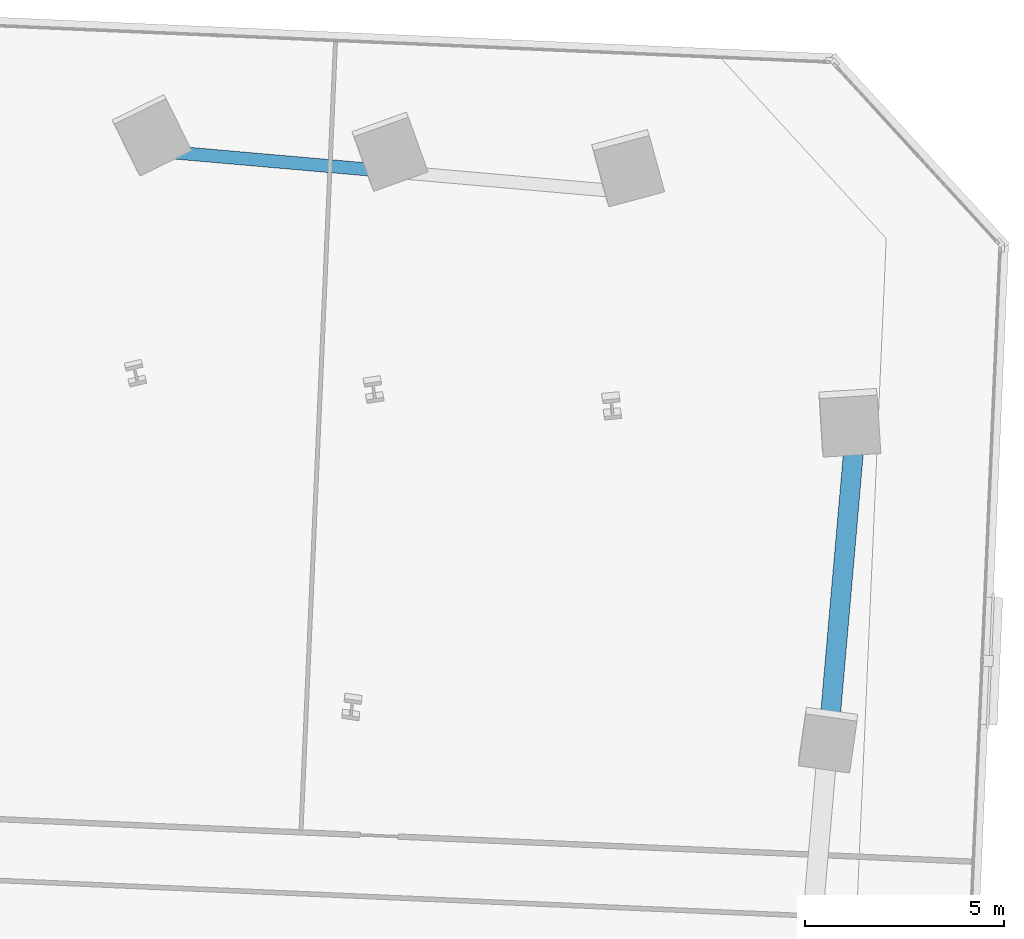
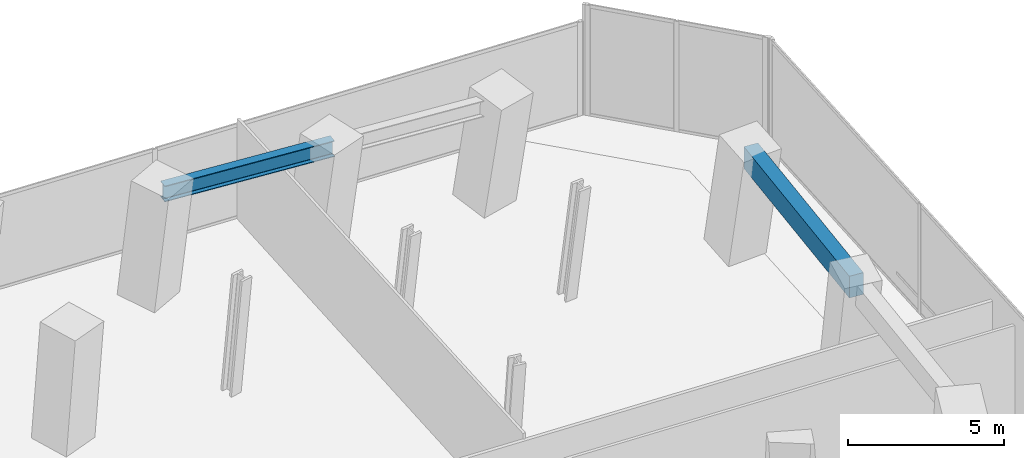
# One storey, part 12 of 26: 2 beams.
"""IFC4 building model written with IfcOpenShell, lengths in metres."""

import ifcopenshell
import ifcopenshell.guid

model = None  # the IFC model being written
_history = None  # IfcOwnerHistory: only IFC2X3 demands one
_inside = {}  # id of a spatial element -> (the spatial element, [elements in it])
_under = {}  # id of a project, library or spatial element -> (it, [spatial elements below it])
_declared = {}  # id of a project -> (the project, [libraries it declares])
_typed = {}  # id of a type object -> (the type object, [elements of that type])
_made_of = {}  # id of a material, layer set ... -> (it, [elements and type objects made of it])


def new_model(schema):
    """Start an empty IFC model of exactly this schema.

    Asked for "IFC4X3", IfcOpenShell would pick the latest addendum, in which some entities
    have other attributes; the version numbers below select the first issue.
    IFC2X3 requires an IfcOwnerHistory on every rooted entity: one is made here for all.
    """
    global model, _history
    if schema == "IFC4X3":
        model = ifcopenshell.file(schema_version=(4, 3, 0, 0))
    else:
        model = ifcopenshell.file(schema=schema)
    _inside.clear()
    _under.clear()
    _declared.clear()
    _typed.clear()
    _made_of.clear()
    _history = None
    if model.schema == "IFC2X3":
        org = make("IfcOrganization", Name="unknown")
        user = make(
            "IfcPersonAndOrganization",
            ThePerson=make("IfcPerson", FamilyName="unknown"),
            TheOrganization=org,
        )
        app = make(
            "IfcApplication",
            ApplicationDeveloper=org,
            Version="unknown",
            ApplicationFullName="unknown",
            ApplicationIdentifier="unknown",
        )
        _history = make(
            "IfcOwnerHistory",
            OwningUser=user,
            OwningApplication=app,
            ChangeAction="ADDED",
            CreationDate=0,
        )
    return model


def make(cls, **values):
    """One entity of the class cls with the attributes given. An attribute that is None is left unset."""
    return model.create_entity(
        cls, **{name: value for name, value in values.items() if value is not None}
    )


def rooted(cls, **values):
    """An entity with a GlobalId (a new one), such as an element, a storey or a relation."""
    return make(cls, GlobalId=ifcopenshell.guid.new(), OwnerHistory=_history, **values)


def si_unit(unit_type, name, prefix=None):
    """IfcSIUnit, for example si_unit("LENGTHUNIT", "METRE", prefix="MILLI")."""
    return make("IfcSIUnit", UnitType=unit_type, Prefix=prefix, Name=name)


def assignment(units):
    """IfcUnitAssignment: the units of a project."""
    return None if units is None else make("IfcUnitAssignment", Units=units)


def point(xyz):
    """IfcCartesianPoint."""
    return None if xyz is None else make("IfcCartesianPoint", Coordinates=xyz)


def direction(xyz):
    """IfcDirection."""
    return None if xyz is None else make("IfcDirection", DirectionRatios=xyz)


def frame(location, z_axis=None, x_axis=None):
    """IfcAxis2Placement3D, a coordinate frame: its origin and axes. An axis left out is left unset."""
    return make(
        "IfcAxis2Placement3D",
        Location=point(location),
        Axis=direction(z_axis),
        RefDirection=direction(x_axis),
    )


def frame_2d(location, x_axis=None):
    """IfcAxis2Placement2D, a coordinate frame in the plane: its origin and x axis."""
    return make(
        "IfcAxis2Placement2D", Location=point(location), RefDirection=direction(x_axis)
    )


def origin():
    """The frame at (0, 0, 0) with its axes left unset."""
    return frame((0.0, 0.0, 0.0))


def origin_2d():
    """The frame at (0, 0) in the plane with its x axis left unset."""
    return frame_2d((0.0, 0.0))


def place(relative_to, where):
    """IfcLocalPlacement: puts the frame where relative to a parent placement (None: the world)."""
    return make(
        "IfcLocalPlacement", PlacementRelTo=relative_to, RelativePlacement=where
    )


def context(
    kind, dimensions, precision=None, world=None, true_north=None, identifier=None
):
    """IfcGeometricRepresentationContext, for example the 3D "Model" context."""
    return make(
        "IfcGeometricRepresentationContext",
        ContextIdentifier=identifier,
        ContextType=kind,
        CoordinateSpaceDimension=dimensions,
        Precision=precision,
        WorldCoordinateSystem=world,
        TrueNorth=true_north,
    )


def subcontext(parent, identifier, kind, view, scale=None):
    """IfcGeometricRepresentationSubContext, for example "Body" below "Model"."""
    return make(
        "IfcGeometricRepresentationSubContext",
        ContextIdentifier=identifier,
        ContextType=kind,
        ParentContext=parent,
        TargetScale=scale,
        TargetView=view,
    )


def project(units=None, contexts=None):
    """IfcProject with its units and contexts."""
    return rooted(
        "IfcProject",
        Name="project",
        RepresentationContexts=contexts,
        UnitsInContext=assignment(units),
    )


def spatial(cls, under=None, at=None, **own):
    """A site, building, storey or space (cls), placed at a placement, below another one or the project."""
    s = rooted(cls, ObjectPlacement=at, **own)
    if under is not None:
        _under.setdefault(under.id(), (under, []))[1].append(s)
    return s


def profile(cls, at=None, kind="AREA", **sizes):
    """A parametric profile (cls). Its sizes go by their IFC names, for example OverallWidth=200.0."""
    return make(cls, ProfileType=kind, Position=at, **sizes)


def rectangle(**sizes):
    """IfcRectangleProfileDef."""
    return profile("IfcRectangleProfileDef", **sizes)


def i_section(**sizes):
    """IfcIShapeProfileDef."""
    return profile("IfcIShapeProfileDef", **sizes)


def extrude(swept, where, along, depth):
    """IfcExtrudedAreaSolid: the profile swept, set in the frame where, extruded along a direction by depth."""
    return make(
        "IfcExtrudedAreaSolid",
        SweptArea=swept,
        Position=where,
        ExtrudedDirection=direction(along),
        Depth=depth,
    )


def shape(context_of_items, identifier, shape_type, items):
    """IfcShapeRepresentation: the items that make up one representation, for example the "Body"."""
    return make(
        "IfcShapeRepresentation",
        ContextOfItems=context_of_items,
        RepresentationIdentifier=identifier,
        RepresentationType=shape_type,
        Items=items,
    )


def source(mapping_origin, context_of_items, identifier, shape_type, items):
    """IfcRepresentationMap: a shape defined once, which mapped items show again and again."""
    return make(
        "IfcRepresentationMap",
        MappingOrigin=mapping_origin,
        MappedRepresentation=shape(context_of_items, identifier, shape_type, items),
    )


def transform(
    local_origin,
    x_axis=None,
    y_axis=None,
    z_axis=None,
    scale=None,
    scale2=None,
    scale3=None,
    uniform=True,
):
    """IfcCartesianTransformationOperator3D, or its non-uniform kind. x_axis, y_axis, z_axis: its Axis1, 2, 3."""
    if uniform:
        return make(
            "IfcCartesianTransformationOperator3D",
            Axis1=direction(x_axis),
            Axis2=direction(y_axis),
            LocalOrigin=point(local_origin),
            Scale=scale,
            Axis3=direction(z_axis),
        )
    return make(
        "IfcCartesianTransformationOperator3DnonUniform",
        Axis1=direction(x_axis),
        Axis2=direction(y_axis),
        LocalOrigin=point(local_origin),
        Scale=scale,
        Axis3=direction(z_axis),
        Scale2=scale2,
        Scale3=scale3,
    )


def mapped(mapping_source, mapping_target):
    """IfcMappedItem: shows the shape of a source again, moved by a transform."""
    return make(
        "IfcMappedItem", MappingSource=mapping_source, MappingTarget=mapping_target
    )


def material(Name=None, Category=None):
    """IfcMaterial."""
    return make("IfcMaterial", Name=Name, Category=Category)


def material_profile(
    of_material, cross_section, Name=None, Category=None, Priority=None
):
    """IfcMaterialProfile: a cross section and its material."""
    return make(
        "IfcMaterialProfile",
        Name=Name,
        Material=of_material,
        Profile=cross_section,
        Priority=Priority,
        Category=Category,
    )


def profile_set(profiles, Name=None, composite=None):
    """IfcMaterialProfileSet."""
    return make(
        "IfcMaterialProfileSet",
        Name=Name,
        MaterialProfiles=profiles,
        CompositeProfile=composite,
    )


def made_of(thing, what):
    """Note that an element or type object is made of a material, layer set ...; save() writes the relation."""
    if what is not None:
        _made_of.setdefault(what.id(), (what, []))[1].append(thing)
    return thing


def type_object(cls, material=None, **own):
    """A type object (cls), such as IfcWallType, which elements share."""
    return made_of(rooted(cls, **own), material)


def element(
    cls,
    number,
    at=None,
    inside=None,
    cuts=None,
    type_object=None,
    material=None,
    context=None,
    identifier="Body",
    shape_type=None,
    held_by="IfcProductDefinitionShape",
    body=None,
    shapes=None,
    **own,
):
    """One element of the class cls, such as IfcWall. Its Tag is "e" and its number.

    at: its placement. inside: the storey or other place that contains it. cuts: it is an
    opening in that element (IfcRelVoidsElement). A single representation is given by context,
    identifier, shape_type and body (its items); several are given by shapes. held_by: the class
    of the entity that holds the representations. save() writes the other relations.
    """
    e = rooted(cls, Tag="e%d" % number, ObjectPlacement=at, **own)
    if body is not None:
        shapes = [shape(context, identifier, shape_type, body)]
    if shapes is not None:
        e.Representation = make(held_by, Representations=shapes)
    if inside is not None:
        _inside.setdefault(inside.id(), (inside, []))[1].append(e)
    if cuts is not None:
        rooted(
            "IfcRelVoidsElement", RelatingBuildingElement=cuts, RelatedOpeningElement=e
        )
    if type_object is not None:
        _typed.setdefault(type_object.id(), (type_object, []))[1].append(e)
    return made_of(e, material)


def aggregate(whole, parts):
    """IfcRelAggregates: a whole, such as a stair, and the parts it consists of."""
    return rooted("IfcRelAggregates", RelatingObject=whole, RelatedObjects=parts)


def save(model, path):
    """Write the relations noted so far, then the file.

    IfcRelAggregates (storeys below a building ...), IfcRelContainedInSpatialStructure (elements
    in a storey), IfcRelDefinesByType, IfcRelAssociatesMaterial and IfcRelDeclares: one each for
    every whole, place, type object, material and project.
    """
    for whole, parts in _under.values():
        aggregate(whole, parts)
    for where, things in _inside.values():
        rooted(
            "IfcRelContainedInSpatialStructure",
            RelatedElements=things,
            RelatingStructure=where,
        )
    for kind, things in _typed.values():
        rooted("IfcRelDefinesByType", RelatedObjects=things, RelatingType=kind)
    for what, things in _made_of.values():
        rooted("IfcRelAssociatesMaterial", RelatedObjects=things, RelatingMaterial=what)
    for by, libraries in _declared.values():
        rooted("IfcRelDeclares", RelatingContext=by, RelatedDefinitions=libraries)
    model.write(path)


model = new_model("IFC4")

# Units and contexts
model_context = context("Model", 3, precision=1e-05, world=origin(), true_north=direction((0.0, 1.0)))
body_context = subcontext(model_context, "Body", "Model", "MODEL_VIEW")
ifc_project = project(units=[si_unit("LENGTHUNIT", "METRE"), si_unit("AREAUNIT", "SQUARE_METRE"), si_unit("VOLUMEUNIT", "CUBIC_METRE"), si_unit("PLANEANGLEUNIT", "RADIAN"), si_unit("MASSUNIT", "GRAM", prefix="KILO")], contexts=[model_context])

# Site, building, storey
site_placement = place(None, origin())
site = spatial("IfcSite", under=ifc_project, at=site_placement, CompositionType="ELEMENT")
building_placement = place(site_placement, origin())
building = spatial("IfcBuilding", under=site, at=building_placement, Name="Torre Montelarca", CompositionType="ELEMENT")
storey_placement = place(building_placement, frame((0.0, 0.0, 42.39990234375)))
storey = spatial("IfcBuildingStorey", under=building, at=storey_placement, Name="L09", CompositionType="ELEMENT", Elevation=42.39990234375)

# Beams
ifc_material_1 = material(Name="Steel ASTM A992 Grade 50", Category="steel")
ifc_material_profile_1 = material_profile(ifc_material_1, i_section(OverallWidth=0.326904296875, OverallDepth=0.6220703125, WebThickness=0.015380859375, FlangeThickness=0.0244140625, FilletRadius=0.014892578125, at=origin_2d()), Name="W610X195", Category="steel")
ifc_profile_set_1 = profile_set([ifc_material_profile_1], Name="Steel ASTM A992 Grade 50")
beam_type_1 = type_object("IfcBeamType", Name="BM-G-W610H", PredefinedType="BEAM", material=ifc_profile_set_1)
shared_shape_1 = source(origin(), body_context, "Body", "SweptSolid", [
    extrude(i_section(OverallWidth=0.326904296875, OverallDepth=0.6220703125, WebThickness=0.015380859375, FlangeThickness=0.0244140625, FilletRadius=0.014892578125, at=origin_2d()), origin(), (0.0, 0.0, 1.0), 6.0),
])
beam_1_placement = place(storey_placement, frame((43.14208984375, 44.159912109375, 4.2490234375), z_axis=(0.996198176944, -0.087115970136, 0.0), x_axis=(0.087115970136, 0.996198176944, 0.0)))
element("IfcBeam", 1, at=beam_1_placement, inside=storey, type_object=beam_type_1, Name="L09 Grid Girder X 42.0-48.0 at Y=46.0", PredefinedType="BEAM", context=body_context, shape_type="MappedRepresentation", body=[
    mapped(shared_shape_1, transform((0.0, 0.0, 0.0), scale=1.0)),
])
ifc_material_2 = material(Name="Concrete C55/67", Category="concrete")
ifc_material_profile_2 = material_profile(ifc_material_2, rectangle(XDim=0.5, YDim=0.85009765625, at=origin_2d()), Name="RCB500X850", Category="concrete")
ifc_profile_set_2 = profile_set([ifc_material_profile_2], Name="Concrete C55/67")
beam_type_2 = type_object("IfcBeamType", Name="BM-SP-RC850-EXT", PredefinedType="SPANDREL", material=ifc_profile_set_2)
shared_shape_2 = source(origin(), body_context, "Body", "SweptSolid", [
    extrude(rectangle(XDim=0.5, YDim=0.85009765625, at=origin_2d()), origin(), (0.0, 0.0, 1.0), 8.0),
])
beam_2_placement = place(storey_placement, frame((59.853515625, 28.64453125, 4.135009765625), z_axis=(0.087159000208, 0.996194413095, 0.0), x_axis=(-0.996194413095, 0.087159000208, 0.0)))
element("IfcBeam", 2, at=beam_2_placement, inside=storey, type_object=beam_type_2, Name="L09 Grid Girder Y 32.0-40.0 at X=60.0", PredefinedType="SPANDREL", context=body_context, shape_type="MappedRepresentation", body=[
    mapped(shared_shape_2, transform((0.0, 0.0, 0.0), scale=1.0)),
])

save(model, "model.ifc")
